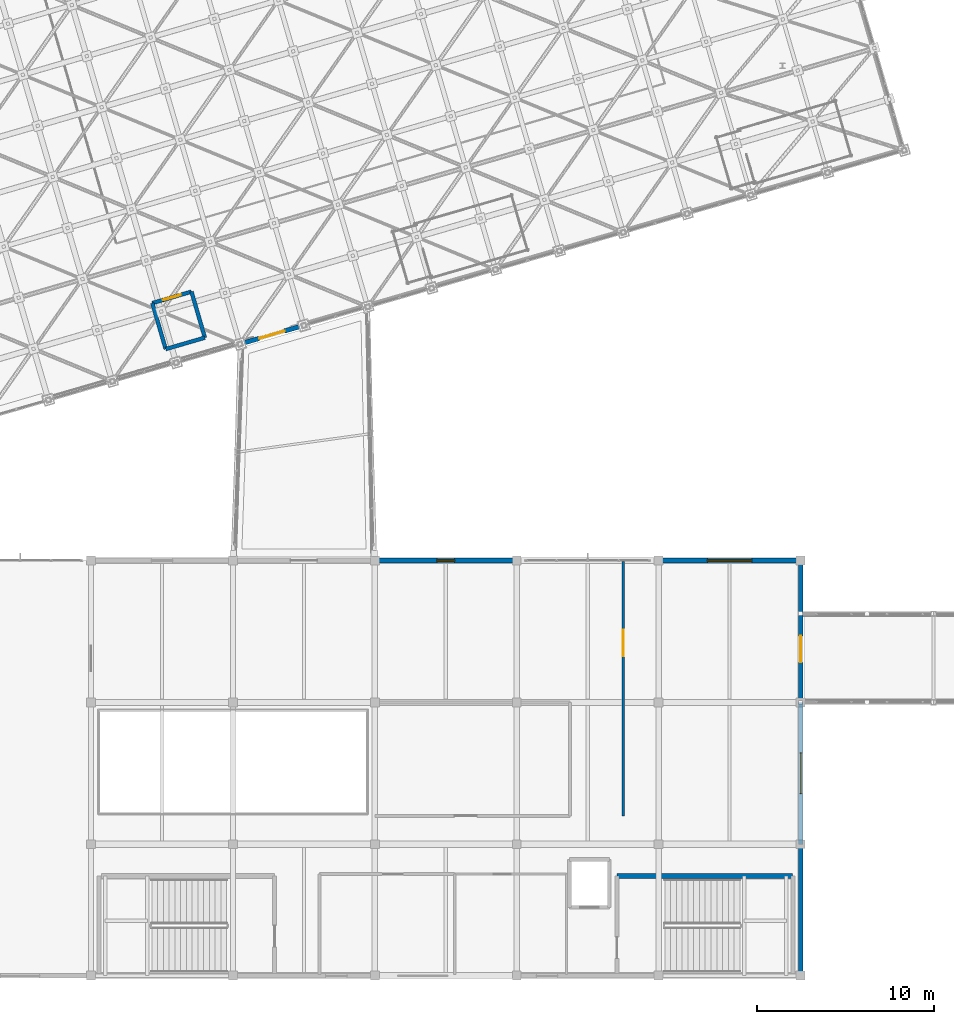
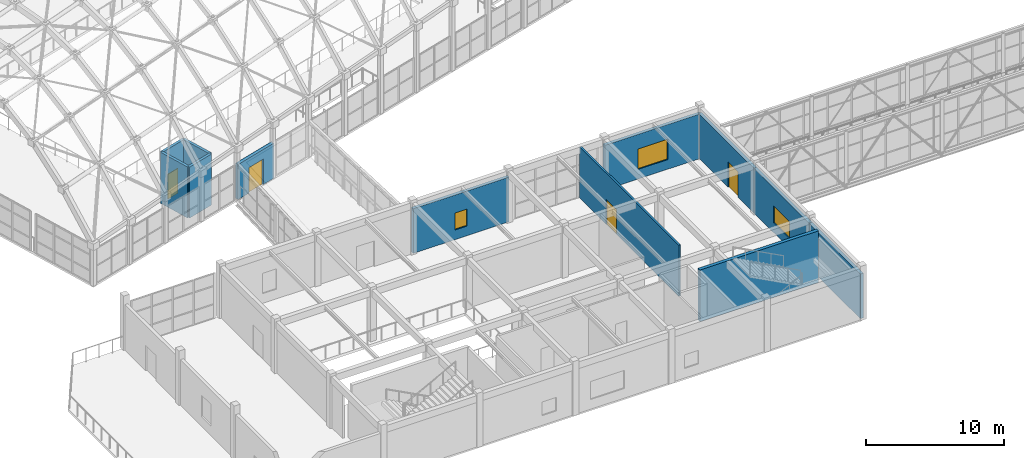
# One storey, part 224 of 248: 12 walls, 4 doors, 3 windows, 7 openings.
"""IFC4 building model written with IfcOpenShell, lengths in metres."""

from ifc_helpers import new_model, si_unit, direction, frame, frame_2d, origin, place, context, subcontext, project, spatial, rectangle, extrude, material, layer, layer_set, type_object, element, fill, save


model = new_model("IFC4")

# Units and contexts
model_context = context("Model", 3, precision=1e-05, world=origin(), true_north=direction((0.0, 1.0)))
body_context = subcontext(model_context, "Body", "Model", "MODEL_VIEW")
ifc_project = project(units=[si_unit("LENGTHUNIT", "METRE"), si_unit("AREAUNIT", "SQUARE_METRE"), si_unit("VOLUMEUNIT", "CUBIC_METRE"), si_unit("PLANEANGLEUNIT", "RADIAN"), si_unit("MASSUNIT", "GRAM", prefix="KILO")], contexts=[model_context])

# Site, building, storey
site_placement = place(None, origin())
site = spatial("IfcSite", under=ifc_project, at=site_placement, CompositionType="ELEMENT")
building_placement = place(site_placement, origin())
building = spatial("IfcBuilding", under=site, at=building_placement, Name="Canggui Botanical Conservatory", CompositionType="ELEMENT")
storey_placement = place(building_placement, frame((0.0, 0.0, 5.39990234375)))
storey = spatial("IfcBuildingStorey", under=building, at=storey_placement, Name="L02", CompositionType="ELEMENT", Elevation=5.39990234375)

# Wall, opening, window
ifc_material_1 = material(Name="Precast Concrete C40", Category="concrete")
ifc_layer_1 = layer(ifc_material_1, 0.260009765625, Name="Precast Concrete C40", Category="concrete")
ifc_layer_set_1 = layer_set([ifc_layer_1], Name="Precast Concrete C40")
wall_type_1 = type_object("IfcWallType", Name="EW-260", PredefinedType="STANDARD", material=ifc_layer_set_1)
wall_1_placement = place(storey_placement, frame((42.0, 34.0, 0.0), z_axis=(0.0, 0.0, 1.0), x_axis=(1.0, 0.0, 0.0)))
wall_1 = element("IfcWall", 1, at=wall_1_placement, inside=storey, type_object=wall_type_1, Name="Visitor Centre Exterior Wall L02-13", PredefinedType="STANDARD", context=body_context, shape_type="SweptSolid", body=[
    extrude(rectangle(XDim=8.0, YDim=0.260009765625, at=frame_2d((4.0, 0.0))), origin(), (0.0, 0.0, 1.0), 3.940185546875),
])
opening_1_placement = place(wall_1_placement, frame((3.5, 0.0, 0.85009765625)))
opening_1 = element("IfcOpeningElement", 2, at=opening_1_placement, cuts=wall_1, Name="Opening W-16", PredefinedType="OPENING", context=body_context, shape_type="SweptSolid", body=[
    extrude(rectangle(XDim=1.0, YDim=1.5, at=frame_2d((0.5, 0.75))), frame((0.0, 0.14013671875, 0.0), z_axis=(0.0, -1.0, 0.0), x_axis=(1.0, 0.0, 0.0)), (0.0, 0.0, 1.0), 0.280029296875),
])
ifc_material_2 = material(Name="Low-E Insulated Glass", Category="glass")
window_type_1 = type_object("IfcWindowType", Name="WIN-16", PartitioningType="SINGLE_PANEL", PredefinedType="WINDOW", material=ifc_material_2)
window_1_placement = place(opening_1_placement, origin())
window_1 = element("IfcWindow", 3, at=window_1_placement, inside=storey, type_object=window_type_1, Name="Visitor Centre Window L02-13", OverallHeight=1.5, OverallWidth=1.0, PartitioningType="SINGLE_PANEL", PredefinedType="WINDOW", context=body_context, shape_type="SweptSolid", body=[
    extrude(rectangle(XDim=1.0, YDim=1.5, at=frame_2d((0.5, 0.75))), frame((0.0, 0.030029296875, 0.0), z_axis=(0.0, -1.0, 0.0), x_axis=(1.0, 0.0, 0.0)), (0.0, 0.0, 1.0), 0.06005859375),
])
fill(opening_1, window_1)

wall_2_placement = place(storey_placement, frame((58.0, 34.0, 0.0), z_axis=(0.0, 0.0, 1.0), x_axis=(1.0, 0.0, 0.0)))
wall_2 = element("IfcWall", 4, at=wall_2_placement, inside=storey, type_object=wall_type_1, Name="Visitor Centre Exterior Wall L02-15", PredefinedType="STANDARD", context=body_context, shape_type="SweptSolid", body=[
    extrude(rectangle(XDim=8.0, YDim=0.260009765625, at=frame_2d((4.0, 0.0))), origin(), (0.0, 0.0, 1.0), 3.940185546875),
])
opening_2_placement = place(wall_2_placement, frame((2.75, 0.0, 0.85009765625)))
opening_2 = element("IfcOpeningElement", 5, at=opening_2_placement, cuts=wall_2, Name="Opening W-18", PredefinedType="OPENING", context=body_context, shape_type="SweptSolid", body=[
    extrude(rectangle(XDim=2.5, YDim=1.800048828125, at=frame_2d((1.25, 0.89990234375))), frame((0.0, 0.14013671875, 0.0), z_axis=(0.0, -1.0, 0.0), x_axis=(1.0, 0.0, 0.0)), (0.0, 0.0, 1.0), 0.280029296875),
])
window_type_2 = type_object("IfcWindowType", Name="WIN-18", PartitioningType="DOUBLE_PANEL_VERTICAL", PredefinedType="WINDOW", material=ifc_material_2)
window_2_placement = place(opening_2_placement, origin())
window_2 = element("IfcWindow", 6, at=window_2_placement, inside=storey, type_object=window_type_2, Name="Visitor Centre Window L02-15", OverallHeight=1.800048828125, OverallWidth=2.5, PartitioningType="SINGLE_PANEL", PredefinedType="WINDOW", context=body_context, shape_type="SweptSolid", body=[
    extrude(rectangle(XDim=2.5, YDim=1.800048828125, at=frame_2d((1.25, 0.89990234375))), frame((0.0, 0.030029296875, 0.0), z_axis=(0.0, -1.0, 0.0), x_axis=(1.0, 0.0, 0.0)), (0.0, 0.0, 1.0), 0.06005859375),
])
fill(opening_2, window_2)

# Wall, opening, door
wall_3_placement = place(storey_placement, frame((66.0, 34.0, 0.0), z_axis=(0.0, 0.0, 1.0), x_axis=(0.0, -1.0, 0.0)))
wall_3 = element("IfcWall", 7, at=wall_3_placement, inside=storey, type_object=wall_type_1, Name="Visitor Centre Exterior Wall L02-16", PredefinedType="STANDARD", context=body_context, shape_type="SweptSolid", body=[
    extrude(rectangle(XDim=8.0, YDim=0.260009765625, at=frame_2d((4.0, 0.0))), origin(), (0.0, 0.0, 1.0), 3.940185546875),
])
opening_3_placement = place(wall_3_placement, frame((4.25, 0.0, 0.0)))
opening_3 = element("IfcOpeningElement", 8, at=opening_3_placement, cuts=wall_3, Name="Opening TD-01", PredefinedType="OPENING", context=body_context, shape_type="SweptSolid", body=[
    extrude(rectangle(XDim=1.5, YDim=2.25, at=frame_2d((0.75, 1.125))), frame((0.0, 0.14013671875, 0.0), z_axis=(0.0, -1.0, 0.0), x_axis=(1.0, 0.0, 0.0)), (0.0, 0.0, 1.0), 0.280029296875),
])
ifc_material_3 = material(Name="Anodised Aluminium", Category="aluminium")
door_type_1 = type_object("IfcDoorType", Name="EDR-TER15", OperationType="NOTDEFINED", PredefinedType="DOOR", material=ifc_material_3)
door_1_placement = place(opening_3_placement, origin())
door_1 = element("IfcDoor", 9, at=door_1_placement, inside=storey, type_object=door_type_1, Name="Visitor Skybridge Fire Door L02-16", OperationType="SINGLE_SWING_LEFT", OverallHeight=2.25, OverallWidth=1.5, PredefinedType="DOOR", context=body_context, shape_type="SweptSolid", body=[
    extrude(rectangle(XDim=1.5, YDim=2.25, at=frame_2d((0.75, 1.125))), frame((0.0, 0.02490234375, 0.0), z_axis=(0.0, -1.0, 0.0), x_axis=(1.0, 0.0, 0.0)), (0.0, 0.0, 1.0), 0.050048828125),
])
fill(opening_3, door_1)

# Wall, opening, window
wall_4_placement = place(storey_placement, frame((66.0, 26.0, 0.0), z_axis=(0.0, 0.0, 1.0), x_axis=(0.0, -1.0, 0.0)))
wall_4 = element("IfcWall", 10, at=wall_4_placement, inside=storey, type_object=wall_type_1, Name="Visitor Centre Exterior Wall L02-17", PredefinedType="STANDARD", context=body_context, shape_type="SweptSolid", body=[
    extrude(rectangle(XDim=8.0, YDim=0.260009765625, at=frame_2d((4.0, 0.0))), origin(), (0.0, 0.0, 1.0), 3.940185546875),
])
opening_4_placement = place(wall_4_placement, frame((2.85009765625, 0.0, 0.85009765625)))
opening_4 = element("IfcOpeningElement", 11, at=opening_4_placement, cuts=wall_4, Name="Opening W-19", PredefinedType="OPENING", context=body_context, shape_type="SweptSolid", body=[
    extrude(rectangle(XDim=2.300048828125, YDim=1.5, at=frame_2d((1.14990234375, 0.75))), frame((0.0, 0.14013671875, 0.0), z_axis=(0.0, -1.0, 0.0), x_axis=(1.0, 0.0, 0.0)), (0.0, 0.0, 1.0), 0.280029296875),
])
window_type_3 = type_object("IfcWindowType", Name="WIN-19", PartitioningType="DOUBLE_PANEL_VERTICAL", PredefinedType="WINDOW", material=ifc_material_2)
window_3_placement = place(opening_4_placement, origin())
window_3 = element("IfcWindow", 12, at=window_3_placement, inside=storey, type_object=window_type_3, Name="Visitor Centre Window L02-17", OverallHeight=1.5, OverallWidth=2.300048828125, PartitioningType="SINGLE_PANEL", PredefinedType="WINDOW", context=body_context, shape_type="SweptSolid", body=[
    extrude(rectangle(XDim=2.300048828125, YDim=1.5, at=frame_2d((1.14990234375, 0.75))), frame((0.0, 0.030029296875, 0.0), z_axis=(0.0, -1.0, 0.0), x_axis=(1.0, 0.0, 0.0)), (0.0, 0.0, 1.0), 0.06005859375),
])
fill(opening_4, window_3)

# Wall
wall_5_placement = place(storey_placement, frame((66.0, 18.0, 0.0), z_axis=(0.0, 0.0, 1.0), x_axis=(0.0, -1.0, 0.0)))
element("IfcWall", 13, at=wall_5_placement, inside=storey, type_object=wall_type_1, Name="Visitor Centre Exterior Wall L02-18", PredefinedType="STANDARD", context=body_context, shape_type="SweptSolid", body=[
    extrude(rectangle(XDim=7.39990234375, YDim=0.260009765625, at=frame_2d((3.699951171875, 0.0))), origin(), (0.0, 0.0, 1.0), 3.940185546875),
])

# Wall, opening, door
wall_6_placement = place(storey_placement, frame((38.0, 47.25, 0.0), z_axis=(0.0, 0.0, 1.0), x_axis=(-0.959998541695, -0.280004999853, 0.0)))
wall_6 = element("IfcWall", 14, at=wall_6_placement, inside=storey, type_object=wall_type_1, Name="Conservatory Skybridge Portal Wall V0-5", PredefinedType="STANDARD", context=body_context, shape_type="SweptSolid", body=[
    extrude(rectangle(XDim=3.75, YDim=0.260009765625, at=frame_2d((1.875, 0.0))), origin(), (0.0, 0.0, 1.0), 3.10009765625),
])
opening_5_placement = place(wall_6_placement, frame((1.125, 0.0, 0.0)))
opening_5 = element("IfcOpeningElement", 15, at=opening_5_placement, cuts=wall_6, Name="Opening TD-01", PredefinedType="OPENING", context=body_context, shape_type="SweptSolid", body=[
    extrude(rectangle(XDim=1.5, YDim=2.25, at=frame_2d((0.75, 1.125))), frame((0.0, 0.14013671875, 0.0), z_axis=(0.0, -1.0, 0.0), x_axis=(1.0, 0.0, 0.0)), (0.0, 0.0, 1.0), 0.280029296875),
])
door_2_placement = place(opening_5_placement, origin())
door_2 = element("IfcDoor", 16, at=door_2_placement, inside=storey, type_object=door_type_1, Name="Conservatory Skybridge Fire Door V0-5", OperationType="SINGLE_SWING_LEFT", OverallHeight=2.25, OverallWidth=1.5, PredefinedType="DOOR", context=body_context, shape_type="SweptSolid", body=[
    extrude(rectangle(XDim=1.5, YDim=2.25, at=frame_2d((0.75, 1.125))), frame((0.0, 0.02490234375, 0.0), z_axis=(0.0, -1.0, 0.0), x_axis=(1.0, 0.0, 0.0)), (0.0, 0.0, 1.0), 0.050048828125),
])
fill(opening_5, door_2)

ifc_material_4 = material(Name="Gypsum Plasterboard Partition")
ifc_layer_2 = layer(ifc_material_4, 0.155029296875, Name="Gypsum Plasterboard Partition")
ifc_layer_set_2 = layer_set([ifc_layer_2], Name="Gypsum Plasterboard Partition")
wall_type_2 = type_object("IfcWallType", Name="IW-LAB-155", PredefinedType="STANDARD", material=ifc_layer_set_2)
wall_7_placement = place(storey_placement, frame((56.0, 19.60009765625, 0.0), z_axis=(0.0, 0.0, 1.0), x_axis=(0.0, 1.0, 0.0)))
wall_7 = element("IfcWall", 17, at=wall_7_placement, inside=storey, type_object=wall_type_2, Name="Visitor East Hall Wall L02", PredefinedType="STANDARD", context=body_context, shape_type="SweptSolid", body=[
    extrude(rectangle(XDim=14.349853515625, YDim=0.155029296875, at=frame_2d((7.1748046875, 0.0))), origin(), (0.0, 0.0, 1.0), 4.5),
])
opening_6_placement = place(wall_7_placement, frame((9.0, 0.0, 0.0)))
opening_6 = element("IfcOpeningElement", 18, at=opening_6_placement, cuts=wall_7, Name="Opening FD-13", PredefinedType="OPENING", context=body_context, shape_type="SweptSolid", body=[
    extrude(rectangle(XDim=1.5, YDim=2.199951171875, at=frame_2d((0.75, 1.10009765625))), frame((0.0, 0.08740234375, 0.0), z_axis=(0.0, -1.0, 0.0), x_axis=(1.0, 0.0, 0.0)), (0.0, 0.0, 1.0), 0.175048828125),
])
ifc_material_5 = material(Name="Powder-Coated Steel", Category="steel")
door_type_2 = type_object("IfcDoorType", Name="FD-13", OperationType="NOTDEFINED", PredefinedType="DOOR", material=ifc_material_5)
door_3_placement = place(opening_6_placement, origin())
door_3 = element("IfcDoor", 19, at=door_3_placement, inside=storey, type_object=door_type_2, Name="Interior Door IW-VIS-L02-E", OperationType="SINGLE_SWING_LEFT", OverallHeight=2.199951171875, OverallWidth=1.5, PredefinedType="DOOR", context=body_context, shape_type="SweptSolid", body=[
    extrude(rectangle(XDim=1.5, YDim=2.199951171875, at=frame_2d((0.75, 1.10009765625))), frame((0.0, 0.02490234375, 0.0), z_axis=(0.0, -1.0, 0.0), x_axis=(1.0, 0.0, 0.0)), (0.0, 0.0, 1.0), 0.050048828125),
])
fill(opening_6, door_3)

# Walls
ifc_material_6 = material(Name="Concrete C35", Category="concrete")
ifc_layer_3 = layer(ifc_material_6, 0.215087890625, Name="Concrete C35", Category="concrete")
ifc_layer_set_3 = layer_set([ifc_layer_3], Name="Concrete C35")
wall_type_3 = type_object("IfcWallType", Name="IW-SHAFT-215", PredefinedType="STANDARD", material=ifc_layer_set_3)
wall_8_placement = place(storey_placement, frame((30.2119140625, 45.916015625, 0.0), z_axis=(0.0, 0.0, 1.0), x_axis=(0.959995244467, 0.280016304169, 0.0)))
element("IfcWall", 20, at=wall_8_placement, inside=storey, type_object=wall_type_3, Name="Conservatory Lift PL-03 Shaft Wall L02-0", PredefinedType="STANDARD", context=body_context, shape_type="SweptSolid", body=[
    extrude(rectangle(XDim=2.300048828125, YDim=0.215087890625, at=frame_2d((1.14990234375, 0.0))), origin(), (0.0, 0.0, 1.0), 4.5),
])
wall_9_placement = place(storey_placement, frame((32.419921875, 46.56005859375, 0.0), z_axis=(0.0, 0.0, 1.0), x_axis=(-0.279947916255, 0.960015189559, 0.0)))
element("IfcWall", 21, at=wall_9_placement, inside=storey, type_object=wall_type_3, Name="Conservatory Lift PL-03 Shaft Wall L02-1", PredefinedType="STANDARD", context=body_context, shape_type="SweptSolid", body=[
    extrude(rectangle(XDim=2.699951171875, YDim=0.215087890625, at=frame_2d((1.35009765625, 0.0))), origin(), (0.0, 0.0, 1.0), 4.5),
])

# Wall, opening, door
wall_10_placement = place(storey_placement, frame((31.6640625, 49.152099609375, 0.0), z_axis=(0.0, 0.0, 1.0), x_axis=(-0.959995244467, -0.280016304169, 0.0)))
wall_10 = element("IfcWall", 22, at=wall_10_placement, inside=storey, type_object=wall_type_3, Name="Conservatory Lift PL-03 Shaft Wall L02-2", PredefinedType="STANDARD", context=body_context, shape_type="SweptSolid", body=[
    extrude(rectangle(XDim=2.300048828125, YDim=0.215087890625, at=frame_2d((1.14990234375, 0.0))), origin(), (0.0, 0.0, 1.0), 4.5),
])
opening_7_placement = place(wall_10_placement, frame((0.625, 0.0, 0.0)))
opening_7 = element("IfcOpeningElement", 23, at=opening_7_placement, cuts=wall_10, Name="Opening LD-02", PredefinedType="OPENING", context=body_context, shape_type="SweptSolid", body=[
    extrude(rectangle(XDim=1.050048828125, YDim=2.199951171875, at=frame_2d((0.52490234375, 1.10009765625))), frame((0.0, 0.11767578125, 0.0), z_axis=(0.0, -1.0, 0.0), x_axis=(1.0, 0.0, 0.0)), (0.0, 0.0, 1.0), 0.235107421875),
])
ifc_material_7 = material(Name="Stainless Steel 304", Category="steel")
door_type_3 = type_object("IfcDoorType", Name="LDR-02", OperationType="NOTDEFINED", PredefinedType="DOOR", material=ifc_material_7)
door_4_placement = place(opening_7_placement, origin())
door_4 = element("IfcDoor", 24, at=door_4_placement, inside=storey, type_object=door_type_3, Name="Conservatory Lift PL-03 Landing Door L02", OperationType="SLIDING_TO_LEFT", OverallHeight=2.199951171875, OverallWidth=1.050048828125, PredefinedType="DOOR", context=body_context, shape_type="SweptSolid", body=[
    extrude(rectangle(XDim=1.050048828125, YDim=2.199951171875, at=frame_2d((0.52490234375, 1.10009765625))), frame((0.0, 0.02490234375, 0.0), z_axis=(0.0, -1.0, 0.0), x_axis=(1.0, 0.0, 0.0)), (0.0, 0.0, 1.0), 0.050048828125),
])
fill(opening_7, door_4)

# Walls
wall_11_placement = place(storey_placement, frame((29.4560546875, 48.508056640625, 0.0), z_axis=(0.0, 0.0, 1.0), x_axis=(0.279947916255, -0.960015189559, 0.0)))
element("IfcWall", 25, at=wall_11_placement, inside=storey, type_object=wall_type_3, Name="Conservatory Lift PL-03 Shaft Wall L02-3", PredefinedType="STANDARD", context=body_context, shape_type="SweptSolid", body=[
    extrude(rectangle(XDim=2.699951171875, YDim=0.215087890625, at=frame_2d((1.35009765625, 0.0))), origin(), (0.0, 0.0, 1.0), 4.5),
])
ifc_layer_4 = layer(ifc_material_6, 0.280029296875, Name="Concrete C35", Category="concrete")
ifc_layer_set_4 = layer_set([ifc_layer_4], Name="Concrete C35")
wall_type_4 = type_object("IfcWallType", Name="WALL-SH-280-C35", PredefinedType="SHEAR", material=ifc_layer_set_4)
wall_12_placement = place(storey_placement, frame((55.64990234375, 16.199951171875, 0.0), z_axis=(0.0, 0.0, 1.0), x_axis=(1.0, 0.0, 0.0)))
element("IfcWall", 26, at=wall_12_placement, inside=storey, type_object=wall_type_4, Name="ST-V1 Structural Shaft North Wall L02", PredefinedType="SHEAR", context=body_context, shape_type="SweptSolid", body=[
    extrude(rectangle(XDim=9.900146484375, YDim=0.280029296875, at=frame_2d((4.9501953125, 0.0))), origin(), (0.0, 0.0, 1.0), 4.56005859375),
])

save(model, "model.ifc")
